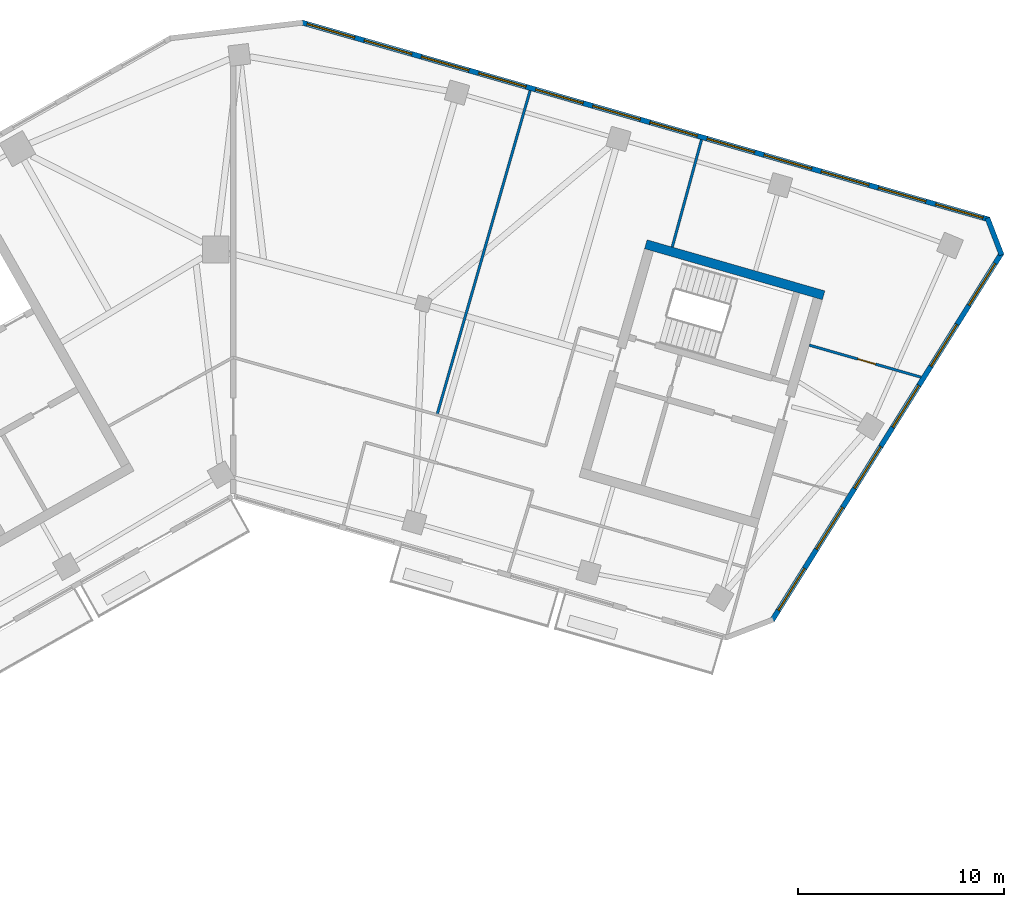
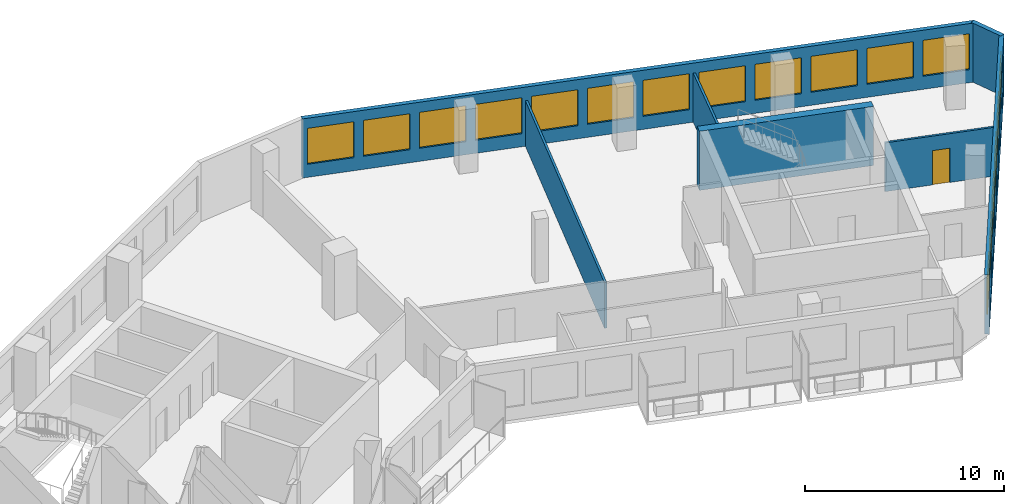
# One storey, part 8 of 12: 18 windows, 7 walls, 1 door, 19 openings.
"""IFC4 building model written with IfcOpenShell, lengths in metres."""

from ifc_helpers import new_model, si_unit, direction, frame, frame_2d, origin, place, context, subcontext, project, spatial, rectangle, extrude, material, layer, layer_set, type_object, element, fill, save


model = new_model("IFC4")

# Units and contexts
model_context = context("Model", 3, precision=1e-05, world=origin(), true_north=direction((0.0, 1.0)))
body_context = subcontext(model_context, "Body", "Model", "MODEL_VIEW")
ifc_project = project(units=[si_unit("LENGTHUNIT", "METRE"), si_unit("AREAUNIT", "SQUARE_METRE"), si_unit("VOLUMEUNIT", "CUBIC_METRE"), si_unit("PLANEANGLEUNIT", "RADIAN"), si_unit("MASSUNIT", "GRAM", prefix="KILO")], contexts=[model_context])

# Site, building, storey
site_placement = place(None, origin())
site = spatial("IfcSite", under=ifc_project, at=site_placement, CompositionType="ELEMENT")
building_placement = place(site_placement, origin())
building = spatial("IfcBuilding", under=site, at=building_placement, Name="Binnacle Exchange Tower", CompositionType="ELEMENT")
storey_placement = place(building_placement, frame((0.0, 0.0, 211.39990234375)))
storey = spatial("IfcBuildingStorey", under=building, at=storey_placement, Name="L46", CompositionType="ELEMENT", Elevation=211.39990234375)

# Wall
ifc_material_1 = material(Name="Concrete C70/85", Category="concrete")
ifc_layer_1 = layer(ifc_material_1, 0.449951171875)
ifc_layer_set_1 = layer_set([ifc_layer_1], Name="Core wall - outer 450")
wall_type_1 = type_object("IfcWallType", Name="Core wall - outer 450", PredefinedType="SOLIDWALL", material=ifc_layer_set_1)
wall_1_placement = place(storey_placement, frame((20.073486328125, 60.251708984375, 0.0), z_axis=(0.0, 0.0, 1.0), x_axis=(0.96126248289, -0.275634611374, 0.0)))
element("IfcWall", 1, at=wall_1_placement, inside=storey, type_object=wall_type_1, Name="Core wall CRWD6", PredefinedType="SOLIDWALL", context=body_context, shape_type="SweptSolid", body=[
    extrude(rectangle(XDim=9.0, YDim=0.449951171875, at=frame_2d((4.5, 0.0))), origin(), (0.0, 0.0, 1.0), 3.6201171875),
])

# Wall, openings, windows
ifc_material_2 = material(Name="Bronze aluminium cladding", Category="aluminium")
ifc_layer_2 = layer(ifc_material_2, 0.25)
ifc_layer_set_2 = layer_set([ifc_layer_2], Name="External wall - window wall 250")
wall_type_2 = type_object("IfcWallType", Name="External wall - window wall 250", PredefinedType="STANDARD", material=ifc_layer_set_2)
wall_2_placement = place(storey_placement, frame((37.392333984375, 59.84033203125, 0.0), z_axis=(0.0, 0.0, 1.0), x_axis=(-0.529919909431, -0.848047692992, 0.0)))
wall_2 = element("IfcWall", 2, at=wall_2_placement, inside=storey, type_object=wall_type_2, Name="External wall EW-G04 L46", PredefinedType="STANDARD", context=body_context, shape_type="SweptSolid", body=[
    extrude(rectangle(XDim=21.104248046875, YDim=0.25, at=frame_2d((10.55224609375, 0.0))), origin(), (0.0, 0.0, 1.0), 3.6201171875),
])
opening_1_placement = place(wall_2_placement, frame((18.1123046875, 0.0, 0.800048828125)))
opening_1 = element("IfcOpeningElement", 3, at=opening_1_placement, cuts=wall_2, Name="Opening WR1", PredefinedType="OPENING", context=body_context, shape_type="SweptSolid", body=[
    extrude(rectangle(XDim=2.39990234375, YDim=2.199951171875, at=frame_2d((1.199951171875, 1.10009765625))), frame((0.0, 0.135009765625, 0.0), z_axis=(0.0, -1.0, 0.0), x_axis=(1.0, 0.0, 0.0)), (0.0, 0.0, 1.0), 0.27001953125),
])
opening_2_placement = place(wall_2_placement, frame((14.6123046875, 0.0, 0.800048828125)))
opening_2 = element("IfcOpeningElement", 4, at=opening_2_placement, cuts=wall_2, Name="Opening WR1", PredefinedType="OPENING", context=body_context, shape_type="SweptSolid", body=[
    extrude(rectangle(XDim=2.39990234375, YDim=2.199951171875, at=frame_2d((1.199951171875, 1.10009765625))), frame((0.0, 0.135009765625, 0.0), z_axis=(0.0, -1.0, 0.0), x_axis=(1.0, 0.0, 0.0)), (0.0, 0.0, 1.0), 0.27001953125),
])
opening_3_placement = place(wall_2_placement, frame((11.1123046875, 0.0, 0.800048828125)))
opening_3 = element("IfcOpeningElement", 5, at=opening_3_placement, cuts=wall_2, Name="Opening WR1", PredefinedType="OPENING", context=body_context, shape_type="SweptSolid", body=[
    extrude(rectangle(XDim=2.39990234375, YDim=2.199951171875, at=frame_2d((1.199951171875, 1.10009765625))), frame((0.0, 0.135009765625, 0.0), z_axis=(0.0, -1.0, 0.0), x_axis=(1.0, 0.0, 0.0)), (0.0, 0.0, 1.0), 0.27001953125),
])
opening_4_placement = place(wall_2_placement, frame((7.6123046875, 0.0, 0.800048828125)))
opening_4 = element("IfcOpeningElement", 6, at=opening_4_placement, cuts=wall_2, Name="Opening WR1", PredefinedType="OPENING", context=body_context, shape_type="SweptSolid", body=[
    extrude(rectangle(XDim=2.39990234375, YDim=2.199951171875, at=frame_2d((1.199951171875, 1.10009765625))), frame((0.0, 0.135009765625, 0.0), z_axis=(0.0, -1.0, 0.0), x_axis=(1.0, 0.0, 0.0)), (0.0, 0.0, 1.0), 0.27001953125),
])
opening_5_placement = place(wall_2_placement, frame((4.1123046875, 0.0, 0.800048828125)))
opening_5 = element("IfcOpeningElement", 7, at=opening_5_placement, cuts=wall_2, Name="Opening WR1", PredefinedType="OPENING", context=body_context, shape_type="SweptSolid", body=[
    extrude(rectangle(XDim=2.39990234375, YDim=2.199951171875, at=frame_2d((1.199951171875, 1.10009765625))), frame((0.0, 0.135009765625, 0.0), z_axis=(0.0, -1.0, 0.0), x_axis=(1.0, 0.0, 0.0)), (0.0, 0.0, 1.0), 0.27001953125),
])
opening_6_placement = place(wall_2_placement, frame((0.6123046875, 0.0, 0.800048828125)))
opening_6 = element("IfcOpeningElement", 8, at=opening_6_placement, cuts=wall_2, Name="Opening WR1", PredefinedType="OPENING", context=body_context, shape_type="SweptSolid", body=[
    extrude(rectangle(XDim=2.39990234375, YDim=2.199951171875, at=frame_2d((1.199951171875, 1.10009765625))), frame((0.0, 0.135009765625, 0.0), z_axis=(0.0, -1.0, 0.0), x_axis=(1.0, 0.0, 0.0)), (0.0, 0.0, 1.0), 0.27001953125),
])
ifc_material_3 = material(Name="Bronze anodised aluminium frame", Category="aluminium")
window_type = type_object("IfcWindowType", Name="WR1 WINDOW 2400x2200", PartitioningType="SINGLE_PANEL", PredefinedType="WINDOW", material=ifc_material_3)
window_1_placement = place(opening_1_placement, origin())
window_1 = element("IfcWindow", 9, at=window_1_placement, inside=storey, type_object=window_type, Name="Window WR1 L46", OverallHeight=2.199951171875, OverallWidth=2.39990234375, PartitioningType="SINGLE_PANEL", PredefinedType="WINDOW", context=body_context, shape_type="SweptSolid", body=[
    extrude(rectangle(XDim=2.39990234375, YDim=2.199951171875, at=frame_2d((1.199951171875, 1.10009765625))), frame((0.0, 0.030029296875, 0.0), z_axis=(0.0, -1.0, 0.0), x_axis=(1.0, 0.0, 0.0)), (0.0, 0.0, 1.0), 0.06005859375),
])
fill(opening_1, window_1)
window_2_placement = place(opening_2_placement, origin())
window_2 = element("IfcWindow", 10, at=window_2_placement, inside=storey, type_object=window_type, Name="Window WR1 L46", OverallHeight=2.199951171875, OverallWidth=2.39990234375, PartitioningType="SINGLE_PANEL", PredefinedType="WINDOW", context=body_context, shape_type="SweptSolid", body=[
    extrude(rectangle(XDim=2.39990234375, YDim=2.199951171875, at=frame_2d((1.199951171875, 1.10009765625))), frame((0.0, 0.030029296875, 0.0), z_axis=(0.0, -1.0, 0.0), x_axis=(1.0, 0.0, 0.0)), (0.0, 0.0, 1.0), 0.06005859375),
])
fill(opening_2, window_2)
window_3_placement = place(opening_3_placement, origin())
window_3 = element("IfcWindow", 11, at=window_3_placement, inside=storey, type_object=window_type, Name="Window WR1 L46", OverallHeight=2.199951171875, OverallWidth=2.39990234375, PartitioningType="SINGLE_PANEL", PredefinedType="WINDOW", context=body_context, shape_type="SweptSolid", body=[
    extrude(rectangle(XDim=2.39990234375, YDim=2.199951171875, at=frame_2d((1.199951171875, 1.10009765625))), frame((0.0, 0.030029296875, 0.0), z_axis=(0.0, -1.0, 0.0), x_axis=(1.0, 0.0, 0.0)), (0.0, 0.0, 1.0), 0.06005859375),
])
fill(opening_3, window_3)
window_4_placement = place(opening_4_placement, origin())
window_4 = element("IfcWindow", 12, at=window_4_placement, inside=storey, type_object=window_type, Name="Window WR1 L46", OverallHeight=2.199951171875, OverallWidth=2.39990234375, PartitioningType="SINGLE_PANEL", PredefinedType="WINDOW", context=body_context, shape_type="SweptSolid", body=[
    extrude(rectangle(XDim=2.39990234375, YDim=2.199951171875, at=frame_2d((1.199951171875, 1.10009765625))), frame((0.0, 0.030029296875, 0.0), z_axis=(0.0, -1.0, 0.0), x_axis=(1.0, 0.0, 0.0)), (0.0, 0.0, 1.0), 0.06005859375),
])
fill(opening_4, window_4)
window_5_placement = place(opening_5_placement, origin())
window_5 = element("IfcWindow", 13, at=window_5_placement, inside=storey, type_object=window_type, Name="Window WR1 L46", OverallHeight=2.199951171875, OverallWidth=2.39990234375, PartitioningType="SINGLE_PANEL", PredefinedType="WINDOW", context=body_context, shape_type="SweptSolid", body=[
    extrude(rectangle(XDim=2.39990234375, YDim=2.199951171875, at=frame_2d((1.199951171875, 1.10009765625))), frame((0.0, 0.030029296875, 0.0), z_axis=(0.0, -1.0, 0.0), x_axis=(1.0, 0.0, 0.0)), (0.0, 0.0, 1.0), 0.06005859375),
])
fill(opening_5, window_5)
window_6_placement = place(opening_6_placement, origin())
window_6 = element("IfcWindow", 14, at=window_6_placement, inside=storey, type_object=window_type, Name="Window WR1 L46", OverallHeight=2.199951171875, OverallWidth=2.39990234375, PartitioningType="SINGLE_PANEL", PredefinedType="WINDOW", context=body_context, shape_type="SweptSolid", body=[
    extrude(rectangle(XDim=2.39990234375, YDim=2.199951171875, at=frame_2d((1.199951171875, 1.10009765625))), frame((0.0, 0.030029296875, 0.0), z_axis=(0.0, -1.0, 0.0), x_axis=(1.0, 0.0, 0.0)), (0.0, 0.0, 1.0), 0.06005859375),
])
fill(opening_6, window_6)

# Wall
wall_3_placement = place(storey_placement, frame((36.68994140625, 61.531005859375, 0.0), z_axis=(0.0, 0.0, 1.0), x_axis=(0.358377147136, -0.933576895821, 0.0)))
element("IfcWall", 15, at=wall_3_placement, inside=storey, type_object=wall_type_2, Name="External wall EW-G05 L46", PredefinedType="STANDARD", context=body_context, shape_type="SweptSolid", body=[
    extrude(rectangle(XDim=1.929931640625, YDim=0.25, at=frame_2d((0.96484375, 0.0))), origin(), (0.0, 0.0, 1.0), 3.6201171875),
])

# Wall, openings, windows
wall_4_placement = place(storey_placement, frame((3.34033203125, 71.042236328125, 0.0), z_axis=(0.0, 0.0, 1.0), x_axis=(0.96126179431, -0.275637012753, 0.0)))
wall_4 = element("IfcWall", 16, at=wall_4_placement, inside=storey, type_object=wall_type_2, Name="External wall EW-G06 L46", PredefinedType="STANDARD", context=body_context, shape_type="SweptSolid", body=[
    extrude(rectangle(XDim=34.779052734375, YDim=0.25, at=frame_2d((17.3896484375, 0.0))), origin(), (0.0, 0.0, 1.0), 3.6201171875),
])
opening_7_placement = place(wall_4_placement, frame((32.0712890625, 0.0, 0.800048828125)))
opening_7 = element("IfcOpeningElement", 17, at=opening_7_placement, cuts=wall_4, Name="Opening WR1", PredefinedType="OPENING", context=body_context, shape_type="SweptSolid", body=[
    extrude(rectangle(XDim=2.39990234375, YDim=2.199951171875, at=frame_2d((1.199951171875, 1.10009765625))), frame((0.0, 0.135009765625, 0.0), z_axis=(0.0, -1.0, 0.0), x_axis=(1.0, 0.0, 0.0)), (0.0, 0.0, 1.0), 0.27001953125),
])
opening_8_placement = place(wall_4_placement, frame((29.180419921875, 0.0, 0.800048828125)))
opening_8 = element("IfcOpeningElement", 18, at=opening_8_placement, cuts=wall_4, Name="Opening WR1", PredefinedType="OPENING", context=body_context, shape_type="SweptSolid", body=[
    extrude(rectangle(XDim=2.39990234375, YDim=2.199951171875, at=frame_2d((1.199951171875, 1.10009765625))), frame((0.0, 0.135009765625, 0.0), z_axis=(0.0, -1.0, 0.0), x_axis=(1.0, 0.0, 0.0)), (0.0, 0.0, 1.0), 0.27001953125),
])
opening_9_placement = place(wall_4_placement, frame((26.289306640625, 0.0, 0.800048828125)))
opening_9 = element("IfcOpeningElement", 19, at=opening_9_placement, cuts=wall_4, Name="Opening WR1", PredefinedType="OPENING", context=body_context, shape_type="SweptSolid", body=[
    extrude(rectangle(XDim=2.39990234375, YDim=2.199951171875, at=frame_2d((1.199951171875, 1.10009765625))), frame((0.0, 0.135009765625, 0.0), z_axis=(0.0, -1.0, 0.0), x_axis=(1.0, 0.0, 0.0)), (0.0, 0.0, 1.0), 0.27001953125),
])
opening_10_placement = place(wall_4_placement, frame((23.3984375, 0.0, 0.800048828125)))
opening_10 = element("IfcOpeningElement", 20, at=opening_10_placement, cuts=wall_4, Name="Opening WR1", PredefinedType="OPENING", context=body_context, shape_type="SweptSolid", body=[
    extrude(rectangle(XDim=2.39990234375, YDim=2.199951171875, at=frame_2d((1.199951171875, 1.10009765625))), frame((0.0, 0.135009765625, 0.0), z_axis=(0.0, -1.0, 0.0), x_axis=(1.0, 0.0, 0.0)), (0.0, 0.0, 1.0), 0.27001953125),
])
opening_11_placement = place(wall_4_placement, frame((20.507568359375, 0.0, 0.800048828125)))
opening_11 = element("IfcOpeningElement", 21, at=opening_11_placement, cuts=wall_4, Name="Opening WR1", PredefinedType="OPENING", context=body_context, shape_type="SweptSolid", body=[
    extrude(rectangle(XDim=2.39990234375, YDim=2.199951171875, at=frame_2d((1.199951171875, 1.10009765625))), frame((0.0, 0.135009765625, 0.0), z_axis=(0.0, -1.0, 0.0), x_axis=(1.0, 0.0, 0.0)), (0.0, 0.0, 1.0), 0.27001953125),
])
opening_12_placement = place(wall_4_placement, frame((17.616455078125, 0.0, 0.800048828125)))
opening_12 = element("IfcOpeningElement", 22, at=opening_12_placement, cuts=wall_4, Name="Opening WR1", PredefinedType="OPENING", context=body_context, shape_type="SweptSolid", body=[
    extrude(rectangle(XDim=2.39990234375, YDim=2.199951171875, at=frame_2d((1.199951171875, 1.10009765625))), frame((0.0, 0.135009765625, 0.0), z_axis=(0.0, -1.0, 0.0), x_axis=(1.0, 0.0, 0.0)), (0.0, 0.0, 1.0), 0.27001953125),
])
opening_13_placement = place(wall_4_placement, frame((14.7255859375, 0.0, 0.800048828125)))
opening_13 = element("IfcOpeningElement", 23, at=opening_13_placement, cuts=wall_4, Name="Opening WR1", PredefinedType="OPENING", context=body_context, shape_type="SweptSolid", body=[
    extrude(rectangle(XDim=2.39990234375, YDim=2.199951171875, at=frame_2d((1.199951171875, 1.10009765625))), frame((0.0, 0.135009765625, 0.0), z_axis=(0.0, -1.0, 0.0), x_axis=(1.0, 0.0, 0.0)), (0.0, 0.0, 1.0), 0.27001953125),
])
opening_14_placement = place(wall_4_placement, frame((11.83447265625, 0.0, 0.800048828125)))
opening_14 = element("IfcOpeningElement", 24, at=opening_14_placement, cuts=wall_4, Name="Opening WR1", PredefinedType="OPENING", context=body_context, shape_type="SweptSolid", body=[
    extrude(rectangle(XDim=2.39990234375, YDim=2.199951171875, at=frame_2d((1.199951171875, 1.10009765625))), frame((0.0, 0.135009765625, 0.0), z_axis=(0.0, -1.0, 0.0), x_axis=(1.0, 0.0, 0.0)), (0.0, 0.0, 1.0), 0.27001953125),
])
opening_15_placement = place(wall_4_placement, frame((8.943603515625, 0.0, 0.800048828125)))
opening_15 = element("IfcOpeningElement", 25, at=opening_15_placement, cuts=wall_4, Name="Opening WR1", PredefinedType="OPENING", context=body_context, shape_type="SweptSolid", body=[
    extrude(rectangle(XDim=2.39990234375, YDim=2.199951171875, at=frame_2d((1.199951171875, 1.10009765625))), frame((0.0, 0.135009765625, 0.0), z_axis=(0.0, -1.0, 0.0), x_axis=(1.0, 0.0, 0.0)), (0.0, 0.0, 1.0), 0.27001953125),
])
opening_16_placement = place(wall_4_placement, frame((6.052490234375, 0.0, 0.800048828125)))
opening_16 = element("IfcOpeningElement", 26, at=opening_16_placement, cuts=wall_4, Name="Opening WR1", PredefinedType="OPENING", context=body_context, shape_type="SweptSolid", body=[
    extrude(rectangle(XDim=2.39990234375, YDim=2.199951171875, at=frame_2d((1.199951171875, 1.10009765625))), frame((0.0, 0.135009765625, 0.0), z_axis=(0.0, -1.0, 0.0), x_axis=(1.0, 0.0, 0.0)), (0.0, 0.0, 1.0), 0.27001953125),
])
opening_17_placement = place(wall_4_placement, frame((3.16162109375, 0.0, 0.800048828125)))
opening_17 = element("IfcOpeningElement", 27, at=opening_17_placement, cuts=wall_4, Name="Opening WR1", PredefinedType="OPENING", context=body_context, shape_type="SweptSolid", body=[
    extrude(rectangle(XDim=2.39990234375, YDim=2.199951171875, at=frame_2d((1.199951171875, 1.10009765625))), frame((0.0, 0.135009765625, 0.0), z_axis=(0.0, -1.0, 0.0), x_axis=(1.0, 0.0, 0.0)), (0.0, 0.0, 1.0), 0.27001953125),
])
opening_18_placement = place(wall_4_placement, frame((0.2705078125, 0.0, 0.800048828125)))
opening_18 = element("IfcOpeningElement", 28, at=opening_18_placement, cuts=wall_4, Name="Opening WR1", PredefinedType="OPENING", context=body_context, shape_type="SweptSolid", body=[
    extrude(rectangle(XDim=2.39990234375, YDim=2.199951171875, at=frame_2d((1.199951171875, 1.10009765625))), frame((0.0, 0.135009765625, 0.0), z_axis=(0.0, -1.0, 0.0), x_axis=(1.0, 0.0, 0.0)), (0.0, 0.0, 1.0), 0.27001953125),
])
window_7_placement = place(opening_7_placement, origin())
window_7 = element("IfcWindow", 29, at=window_7_placement, inside=storey, type_object=window_type, Name="Window WR1 L46", OverallHeight=2.199951171875, OverallWidth=2.39990234375, PartitioningType="SINGLE_PANEL", PredefinedType="WINDOW", context=body_context, shape_type="SweptSolid", body=[
    extrude(rectangle(XDim=2.39990234375, YDim=2.199951171875, at=frame_2d((1.199951171875, 1.10009765625))), frame((0.0, 0.030029296875, 0.0), z_axis=(0.0, -1.0, 0.0), x_axis=(1.0, 0.0, 0.0)), (0.0, 0.0, 1.0), 0.06005859375),
])
fill(opening_7, window_7)
window_8_placement = place(opening_8_placement, origin())
window_8 = element("IfcWindow", 30, at=window_8_placement, inside=storey, type_object=window_type, Name="Window WR1 L46", OverallHeight=2.199951171875, OverallWidth=2.39990234375, PartitioningType="SINGLE_PANEL", PredefinedType="WINDOW", context=body_context, shape_type="SweptSolid", body=[
    extrude(rectangle(XDim=2.39990234375, YDim=2.199951171875, at=frame_2d((1.199951171875, 1.10009765625))), frame((0.0, 0.030029296875, 0.0), z_axis=(0.0, -1.0, 0.0), x_axis=(1.0, 0.0, 0.0)), (0.0, 0.0, 1.0), 0.06005859375),
])
fill(opening_8, window_8)
window_9_placement = place(opening_9_placement, origin())
window_9 = element("IfcWindow", 31, at=window_9_placement, inside=storey, type_object=window_type, Name="Window WR1 L46", OverallHeight=2.199951171875, OverallWidth=2.39990234375, PartitioningType="SINGLE_PANEL", PredefinedType="WINDOW", context=body_context, shape_type="SweptSolid", body=[
    extrude(rectangle(XDim=2.39990234375, YDim=2.199951171875, at=frame_2d((1.199951171875, 1.10009765625))), frame((0.0, 0.030029296875, 0.0), z_axis=(0.0, -1.0, 0.0), x_axis=(1.0, 0.0, 0.0)), (0.0, 0.0, 1.0), 0.06005859375),
])
fill(opening_9, window_9)
window_10_placement = place(opening_10_placement, origin())
window_10 = element("IfcWindow", 32, at=window_10_placement, inside=storey, type_object=window_type, Name="Window WR1 L46", OverallHeight=2.199951171875, OverallWidth=2.39990234375, PartitioningType="SINGLE_PANEL", PredefinedType="WINDOW", context=body_context, shape_type="SweptSolid", body=[
    extrude(rectangle(XDim=2.39990234375, YDim=2.199951171875, at=frame_2d((1.199951171875, 1.10009765625))), frame((0.0, 0.030029296875, 0.0), z_axis=(0.0, -1.0, 0.0), x_axis=(1.0, 0.0, 0.0)), (0.0, 0.0, 1.0), 0.06005859375),
])
fill(opening_10, window_10)
window_11_placement = place(opening_11_placement, origin())
window_11 = element("IfcWindow", 33, at=window_11_placement, inside=storey, type_object=window_type, Name="Window WR1 L46", OverallHeight=2.199951171875, OverallWidth=2.39990234375, PartitioningType="SINGLE_PANEL", PredefinedType="WINDOW", context=body_context, shape_type="SweptSolid", body=[
    extrude(rectangle(XDim=2.39990234375, YDim=2.199951171875, at=frame_2d((1.199951171875, 1.10009765625))), frame((0.0, 0.030029296875, 0.0), z_axis=(0.0, -1.0, 0.0), x_axis=(1.0, 0.0, 0.0)), (0.0, 0.0, 1.0), 0.06005859375),
])
fill(opening_11, window_11)
window_12_placement = place(opening_12_placement, origin())
window_12 = element("IfcWindow", 34, at=window_12_placement, inside=storey, type_object=window_type, Name="Window WR1 L46", OverallHeight=2.199951171875, OverallWidth=2.39990234375, PartitioningType="SINGLE_PANEL", PredefinedType="WINDOW", context=body_context, shape_type="SweptSolid", body=[
    extrude(rectangle(XDim=2.39990234375, YDim=2.199951171875, at=frame_2d((1.199951171875, 1.10009765625))), frame((0.0, 0.030029296875, 0.0), z_axis=(0.0, -1.0, 0.0), x_axis=(1.0, 0.0, 0.0)), (0.0, 0.0, 1.0), 0.06005859375),
])
fill(opening_12, window_12)
window_13_placement = place(opening_13_placement, origin())
window_13 = element("IfcWindow", 35, at=window_13_placement, inside=storey, type_object=window_type, Name="Window WR1 L46", OverallHeight=2.199951171875, OverallWidth=2.39990234375, PartitioningType="SINGLE_PANEL", PredefinedType="WINDOW", context=body_context, shape_type="SweptSolid", body=[
    extrude(rectangle(XDim=2.39990234375, YDim=2.199951171875, at=frame_2d((1.199951171875, 1.10009765625))), frame((0.0, 0.030029296875, 0.0), z_axis=(0.0, -1.0, 0.0), x_axis=(1.0, 0.0, 0.0)), (0.0, 0.0, 1.0), 0.06005859375),
])
fill(opening_13, window_13)
window_14_placement = place(opening_14_placement, origin())
window_14 = element("IfcWindow", 36, at=window_14_placement, inside=storey, type_object=window_type, Name="Window WR1 L46", OverallHeight=2.199951171875, OverallWidth=2.39990234375, PartitioningType="SINGLE_PANEL", PredefinedType="WINDOW", context=body_context, shape_type="SweptSolid", body=[
    extrude(rectangle(XDim=2.39990234375, YDim=2.199951171875, at=frame_2d((1.199951171875, 1.10009765625))), frame((0.0, 0.030029296875, 0.0), z_axis=(0.0, -1.0, 0.0), x_axis=(1.0, 0.0, 0.0)), (0.0, 0.0, 1.0), 0.06005859375),
])
fill(opening_14, window_14)
window_15_placement = place(opening_15_placement, origin())
window_15 = element("IfcWindow", 37, at=window_15_placement, inside=storey, type_object=window_type, Name="Window WR1 L46", OverallHeight=2.199951171875, OverallWidth=2.39990234375, PartitioningType="SINGLE_PANEL", PredefinedType="WINDOW", context=body_context, shape_type="SweptSolid", body=[
    extrude(rectangle(XDim=2.39990234375, YDim=2.199951171875, at=frame_2d((1.199951171875, 1.10009765625))), frame((0.0, 0.030029296875, 0.0), z_axis=(0.0, -1.0, 0.0), x_axis=(1.0, 0.0, 0.0)), (0.0, 0.0, 1.0), 0.06005859375),
])
fill(opening_15, window_15)
window_16_placement = place(opening_16_placement, origin())
window_16 = element("IfcWindow", 38, at=window_16_placement, inside=storey, type_object=window_type, Name="Window WR1 L46", OverallHeight=2.199951171875, OverallWidth=2.39990234375, PartitioningType="SINGLE_PANEL", PredefinedType="WINDOW", context=body_context, shape_type="SweptSolid", body=[
    extrude(rectangle(XDim=2.39990234375, YDim=2.199951171875, at=frame_2d((1.199951171875, 1.10009765625))), frame((0.0, 0.030029296875, 0.0), z_axis=(0.0, -1.0, 0.0), x_axis=(1.0, 0.0, 0.0)), (0.0, 0.0, 1.0), 0.06005859375),
])
fill(opening_16, window_16)
window_17_placement = place(opening_17_placement, origin())
window_17 = element("IfcWindow", 39, at=window_17_placement, inside=storey, type_object=window_type, Name="Window WR1 L46", OverallHeight=2.199951171875, OverallWidth=2.39990234375, PartitioningType="SINGLE_PANEL", PredefinedType="WINDOW", context=body_context, shape_type="SweptSolid", body=[
    extrude(rectangle(XDim=2.39990234375, YDim=2.199951171875, at=frame_2d((1.199951171875, 1.10009765625))), frame((0.0, 0.030029296875, 0.0), z_axis=(0.0, -1.0, 0.0), x_axis=(1.0, 0.0, 0.0)), (0.0, 0.0, 1.0), 0.06005859375),
])
fill(opening_17, window_17)
window_18_placement = place(opening_18_placement, origin())
window_18 = element("IfcWindow", 40, at=window_18_placement, inside=storey, type_object=window_type, Name="Window WR1 L46", OverallHeight=2.199951171875, OverallWidth=2.39990234375, PartitioningType="SINGLE_PANEL", PredefinedType="WINDOW", context=body_context, shape_type="SweptSolid", body=[
    extrude(rectangle(XDim=2.39990234375, YDim=2.199951171875, at=frame_2d((1.199951171875, 1.10009765625))), frame((0.0, 0.030029296875, 0.0), z_axis=(0.0, -1.0, 0.0), x_axis=(1.0, 0.0, 0.0)), (0.0, 0.0, 1.0), 0.06005859375),
])
fill(opening_18, window_18)

# Walls
ifc_material_4 = material(Name="Gypsum partition")
ifc_layer_3 = layer(ifc_material_4, 0.125)
ifc_layer_set_3 = layer_set([ifc_layer_3], Name="Partition 125")
wall_type_3 = type_object("IfcWallType", Name="Partition 125", PredefinedType="PARTITIONING", material=ifc_layer_set_3)
wall_5_placement = place(storey_placement, frame((9.9169921875, 51.955078125, 0.0), z_axis=(0.0, 0.0, 1.0), x_axis=(0.275933286704, 0.96117678982, 0.0)))
element("IfcWall", 41, at=wall_5_placement, inside=storey, type_object=wall_type_3, Name="Partition W24", PredefinedType="PARTITIONING", context=body_context, shape_type="SweptSolid", body=[
    extrude(rectangle(XDim=16.41015625, YDim=0.125, at=frame_2d((8.205078125, 0.0))), origin(), (0.0, 0.0, 1.0), 2.7919921875),
])
wall_6_placement = place(storey_placement, frame((21.360107421875, 60.116943359375, 0.0), z_axis=(0.0, 0.0, 1.0), x_axis=(0.263151767798, 0.964754449124, 0.0)))
element("IfcWall", 42, at=wall_6_placement, inside=storey, type_object=wall_type_3, Name="Partition W31", PredefinedType="PARTITIONING", context=body_context, shape_type="SweptSolid", body=[
    extrude(rectangle(XDim=5.41064453125, YDim=0.125, at=frame_2d((2.705322265625, 0.0))), origin(), (0.0, 0.0, 1.0), 3.0),
])

# Wall, opening, door
wall_7_placement = place(storey_placement, frame((28.029052734375, 55.343994140625, 0.0), z_axis=(0.0, 0.0, 1.0), x_axis=(0.961249621014, -0.275679462603, 0.0)))
wall_7 = element("IfcWall", 43, at=wall_7_placement, inside=storey, type_object=wall_type_3, Name="Partition W35", PredefinedType="PARTITIONING", context=body_context, shape_type="SweptSolid", body=[
    extrude(rectangle(XDim=5.65185546875, YDim=0.125, at=frame_2d((2.825927734375, 0.0))), origin(), (0.0, 0.0, 1.0), 2.988037109375),
])
opening_19_placement = place(wall_7_placement, frame((2.449951171875, 0.0, 0.0)))
opening_19 = element("IfcOpeningElement", 44, at=opening_19_placement, cuts=wall_7, Name="Opening DL45-12", PredefinedType="OPENING", context=body_context, shape_type="SweptSolid", body=[
    extrude(rectangle(XDim=0.89990234375, YDim=2.10009765625, at=frame_2d((0.449951171875, 1.050048828125))), frame((0.0, 0.072509765625, 0.0), z_axis=(0.0, -1.0, 0.0), x_axis=(1.0, 0.0, 0.0)), (0.0, 0.0, 1.0), 0.14501953125),
])
ifc_material_5 = material(Name="Timber door leaf", Category="wood")
door_type = type_object("IfcDoorType", Name="Door 900", OperationType="NOTDEFINED", PredefinedType="DOOR", material=ifc_material_5)
door_placement = place(opening_19_placement, origin())
door = element("IfcDoor", 45, at=door_placement, inside=storey, type_object=door_type, Name="Door DL45-12", OperationType="SINGLE_SWING_RIGHT", OverallHeight=2.10009765625, OverallWidth=0.89990234375, PredefinedType="DOOR", context=body_context, shape_type="SweptSolid", body=[
    extrude(rectangle(XDim=0.89990234375, YDim=2.10009765625, at=frame_2d((0.449951171875, 1.050048828125))), frame((0.0, 0.02490234375, 0.0), z_axis=(0.0, -1.0, 0.0), x_axis=(1.0, 0.0, 0.0)), (0.0, 0.0, 1.0), 0.050048828125),
])
fill(opening_19, door)

save(model, "model.ifc")
